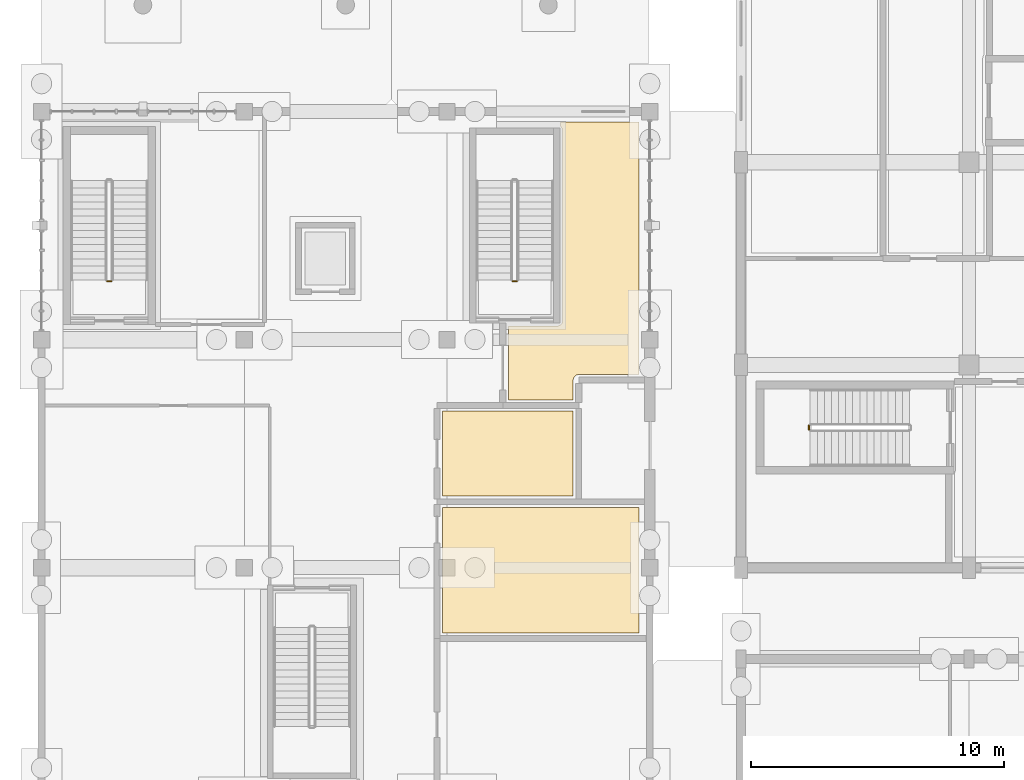
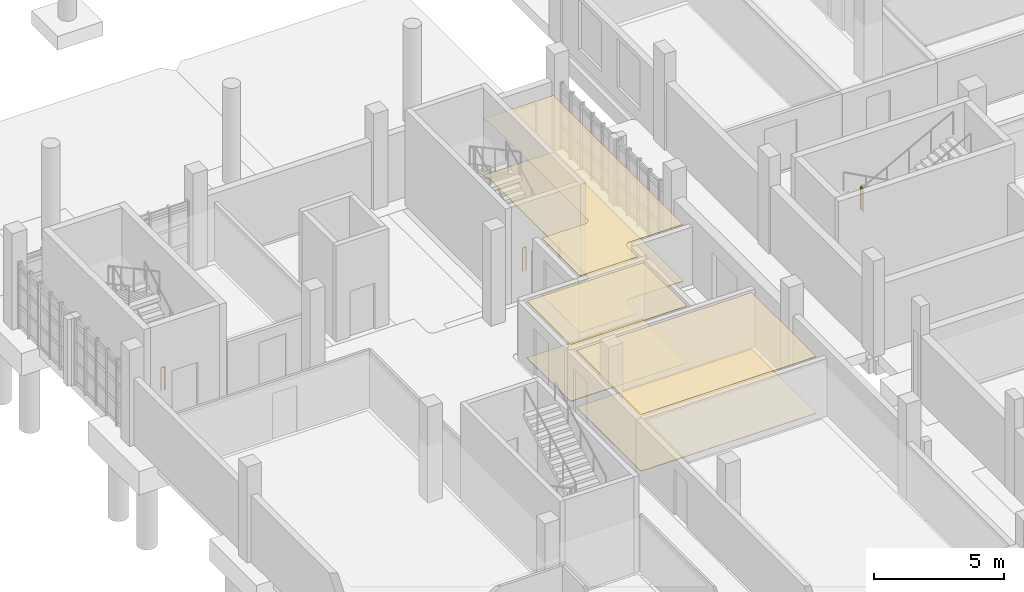
# One storey, part 52 of 63: 6 coverings, 3 railings.
"""IFC4 building model written with IfcOpenShell, lengths in metres."""

from ifc_helpers import new_model, si_unit, direction, frame, origin, origin_2d, place, context, subcontext, project, spatial, polyline, circle, outline, extrude, material, layer, layer_set, type_object, element, save


model = new_model("IFC4")

# Units and contexts
model_context = context("Model", 3, precision=1e-05, world=origin(), true_north=direction((0.0, 1.0)))
body_context = subcontext(model_context, "Body", "Model", "MODEL_VIEW")
ifc_project = project(units=[si_unit("LENGTHUNIT", "METRE"), si_unit("AREAUNIT", "SQUARE_METRE"), si_unit("VOLUMEUNIT", "CUBIC_METRE"), si_unit("PLANEANGLEUNIT", "RADIAN"), si_unit("MASSUNIT", "GRAM", prefix="KILO")], contexts=[model_context])

# Site, building, storey
site_placement = place(None, origin())
site = spatial("IfcSite", under=ifc_project, at=site_placement, CompositionType="ELEMENT")
building_placement = place(site_placement, origin())
building = spatial("IfcBuilding", under=site, at=building_placement, Name="Serraforn Aerial Cableway Station", CompositionType="ELEMENT")
storey_placement = place(building_placement, origin())
storey = spatial("IfcBuildingStorey", under=building, at=storey_placement, Name="L00", CompositionType="ELEMENT", Elevation=0.0)

# Coverings
ifc_material_1 = material(Name="Fire-protective gypsum board ceiling")
ifc_layer_1 = layer(ifc_material_1, 0.02001953125)
ifc_layer_set_1 = layer_set([ifc_layer_1], Name="Fire-protective gypsum board ceiling")
covering_type_1 = type_object("IfcCoveringType", Name="COV-CLG-GYP", PredefinedType="CEILING", material=ifc_layer_set_1)
covering_1_placement = place(storey_placement, frame((0.0, 0.0, 2.659912109375)))
element("IfcCovering", 1, at=covering_1_placement, inside=storey, type_object=covering_type_1, Name="Suspended Ceiling L00-22", PredefinedType="CEILING", context=body_context, shape_type="SweptSolid", body=[
    extrude(outline(polyline([(18.419921875, 24.6201171875), (18.419921875, 27.5400390625), (20.340087890625, 27.5400390625), (20.361572265625, 27.541015625), (20.3828125, 27.544189453125), (20.40380859375, 27.549560546875), (20.42431640625, 27.556640625), (20.443603515625, 27.56591796875), (20.462158203125, 27.5771484375), (20.4794921875, 27.58984375), (20.49560546875, 27.6044921875), (20.510009765625, 27.620361328125), (20.52294921875, 27.6376953125), (20.533935546875, 27.65625), (20.543212890625, 27.67578125), (20.550537109375, 27.696044921875), (20.555908203125, 27.717041015625), (20.558837890625, 27.73828125), (20.56005859375, 27.760009765625), (20.56005859375, 35.239990234375), (20.558837890625, 35.26171875), (20.555908203125, 35.282958984375), (20.550537109375, 35.303955078125), (20.543212890625, 35.32421875), (20.533935546875, 35.34375), (20.52294921875, 35.3623046875), (20.510009765625, 35.379638671875), (20.49560546875, 35.3955078125), (20.4794921875, 35.41015625), (20.469970703125, 35.417236328125), (20.469970703125, 35.580078125), (23.580078125, 35.580078125), (23.580078125, 25.6201171875), (21.199951171875, 25.6201171875), (21.178466796875, 25.618896484375), (21.156982421875, 25.61572265625), (21.135986328125, 25.610595703125), (21.11572265625, 25.603271484375), (21.09619140625, 25.593994140625), (21.077880859375, 25.5830078125), (21.060302734375, 25.570068359375), (21.04443359375, 25.5556640625), (21.02978515625, 25.53955078125), (21.01708984375, 25.522216796875), (21.006103515625, 25.503662109375), (20.99658203125, 25.484130859375), (20.989501953125, 25.4638671875), (20.984130859375, 25.44287109375), (20.981201171875, 25.421630859375), (20.97998046875, 25.39990234375), (20.97998046875, 24.6201171875), (18.419921875, 24.6201171875)])), origin(), (0.0, 0.0, 1.0), 0.02001953125),
])
covering_2_placement = place(storey_placement, frame((0.0, 0.0, 2.659912109375)))
element("IfcCovering", 2, at=covering_2_placement, inside=storey, type_object=covering_type_1, Name="Suspended Ceiling L00-03", PredefinedType="CEILING", context=body_context, shape_type="SweptSolid", body=[
    extrude(outline(polyline([(15.820068359375, 15.419921875), (15.820068359375, 20.3798828125), (23.580078125, 20.3798828125), (23.580078125, 15.419921875), (15.820068359375, 15.419921875)])), origin(), (0.0, 0.0, 1.0), 0.02001953125),
])
covering_3_placement = place(storey_placement, frame((0.0, 0.0, 2.659912109375)))
element("IfcCovering", 3, at=covering_3_placement, inside=storey, type_object=covering_type_1, Name="Suspended Ceiling L00-04", PredefinedType="CEILING", context=body_context, shape_type="SweptSolid", body=[
    extrude(outline(polyline([(15.820068359375, 20.820068359375), (15.820068359375, 24.179931640625), (20.97998046875, 24.179931640625), (20.97998046875, 20.820068359375), (15.820068359375, 20.820068359375)])), origin(), (0.0, 0.0, 1.0), 0.02001953125),
])
ifc_material_2 = material(Name="Honed Montjuic limestone flooring", Category="masonry")
ifc_layer_2 = layer(ifc_material_2, 0.030029296875)
ifc_layer_set_2 = layer_set([ifc_layer_2], Name="Honed Montjuic limestone flooring")
covering_type_2 = type_object("IfcCoveringType", Name="COV-FLR-STN", PredefinedType="FLOORING", material=ifc_layer_set_2)
covering_4_placement = place(storey_placement, origin())
element("IfcCovering", 4, at=covering_4_placement, inside=storey, type_object=covering_type_2, Name="Flooring L00-22", PredefinedType="FLOORING", context=body_context, shape_type="SweptSolid", body=[
    extrude(outline(polyline([(18.419921875, 24.6201171875), (18.419921875, 27.5400390625), (20.340087890625, 27.5400390625), (20.361572265625, 27.541015625), (20.3828125, 27.544189453125), (20.40380859375, 27.549560546875), (20.42431640625, 27.556640625), (20.443603515625, 27.56591796875), (20.462158203125, 27.5771484375), (20.4794921875, 27.58984375), (20.49560546875, 27.6044921875), (20.510009765625, 27.620361328125), (20.52294921875, 27.6376953125), (20.533935546875, 27.65625), (20.543212890625, 27.67578125), (20.550537109375, 27.696044921875), (20.555908203125, 27.717041015625), (20.558837890625, 27.73828125), (20.56005859375, 27.760009765625), (20.56005859375, 35.239990234375), (20.558837890625, 35.26171875), (20.555908203125, 35.282958984375), (20.550537109375, 35.303955078125), (20.543212890625, 35.32421875), (20.533935546875, 35.34375), (20.52294921875, 35.3623046875), (20.510009765625, 35.379638671875), (20.49560546875, 35.3955078125), (20.4794921875, 35.41015625), (20.469970703125, 35.417236328125), (20.469970703125, 35.580078125), (23.580078125, 35.580078125), (23.580078125, 25.6201171875), (21.199951171875, 25.6201171875), (21.178466796875, 25.618896484375), (21.156982421875, 25.61572265625), (21.135986328125, 25.610595703125), (21.11572265625, 25.603271484375), (21.09619140625, 25.593994140625), (21.077880859375, 25.5830078125), (21.060302734375, 25.570068359375), (21.04443359375, 25.5556640625), (21.02978515625, 25.53955078125), (21.01708984375, 25.522216796875), (21.006103515625, 25.503662109375), (20.99658203125, 25.484130859375), (20.989501953125, 25.4638671875), (20.984130859375, 25.44287109375), (20.981201171875, 25.421630859375), (20.97998046875, 25.39990234375), (20.97998046875, 24.6201171875), (18.419921875, 24.6201171875)])), origin(), (0.0, 0.0, 1.0), 0.030029296875),
])
covering_5_placement = place(storey_placement, origin())
element("IfcCovering", 5, at=covering_5_placement, inside=storey, type_object=covering_type_2, Name="Flooring L00-03", PredefinedType="FLOORING", context=body_context, shape_type="SweptSolid", body=[
    extrude(outline(polyline([(15.820068359375, 15.419921875), (15.820068359375, 20.3798828125), (23.580078125, 20.3798828125), (23.580078125, 15.419921875), (15.820068359375, 15.419921875)])), origin(), (0.0, 0.0, 1.0), 0.030029296875),
])
covering_6_placement = place(storey_placement, origin())
element("IfcCovering", 6, at=covering_6_placement, inside=storey, type_object=covering_type_2, Name="Flooring L00-04", PredefinedType="FLOORING", context=body_context, shape_type="SweptSolid", body=[
    extrude(outline(polyline([(15.820068359375, 20.820068359375), (15.820068359375, 24.179931640625), (20.97998046875, 24.179931640625), (20.97998046875, 20.820068359375), (15.820068359375, 20.820068359375)])), origin(), (0.0, 0.0, 1.0), 0.030029296875),
])

# Railings
ifc_material_3 = material(Name="Patinated bronze stair guardrail")
ifc_layer_3 = layer(ifc_material_3, 0.050048828125)
ifc_layer_set_3 = layer_set([ifc_layer_3], Name="Patinated bronze stair guardrail")
railing_type = type_object("IfcRailingType", Name="RL-STR-GRD", PredefinedType="GUARDRAIL", material=ifc_layer_set_3)
for number, where, name in (
    (7, (2.75, 29.300048828125, 0.0), "L00 ST-01 stair guard 4"),
    (8, (18.75, 29.300048828125, 0.0), "L00 ST-02 stair guard 4"),
):
    element("IfcRailing", number, at=place(storey_placement, frame(where)), inside=storey, type_object=railing_type, Name=name, PredefinedType="GUARDRAIL", context=body_context, shape_type="SweptSolid", body=[
        extrude(circle(Radius=0.02392578125, at=origin_2d()), frame((0.0, 0.0, 1.076171875), z_axis=(-1.0, 0.0, 0.0), x_axis=(0.0, -1.0, 0.0)), (0.0, 0.0, 1.0), 0.159912109375),
        extrude(circle(Radius=0.02099609375, at=origin_2d()), origin(), (0.0, 0.0, 1.0), 1.052001953125),
        extrude(circle(Radius=0.02099609375, at=origin_2d()), frame((-0.159912109375, 0.0, 0.0)), (0.0, 0.0, 1.0), 1.052001953125),
    ])
railing_placement = place(storey_placement, frame((30.280029296875, 23.610107421875, 2.25)))
element("IfcRailing", 9, at=railing_placement, inside=storey, type_object=railing_type, Name="L00 ST-03 stair guard 2", PredefinedType="GUARDRAIL", context=body_context, shape_type="SweptSolid", body=[
    extrude(circle(Radius=0.02392578125, at=origin_2d()), frame((0.0, 0.0, 1.076171875), z_axis=(0.0, -1.0, 0.0), x_axis=(1.0, 0.0, 0.0)), (0.0, 0.0, 1.0), 0.16015625),
    extrude(circle(Radius=0.02099609375, at=origin_2d()), origin(), (0.0, 0.0, 1.0), 1.052001953125),
    extrude(circle(Radius=0.02099609375, at=origin_2d()), frame((0.0, -0.16015625, 0.0)), (0.0, 0.0, 1.0), 1.052001953125),
])

save(model, "model.ifc")
